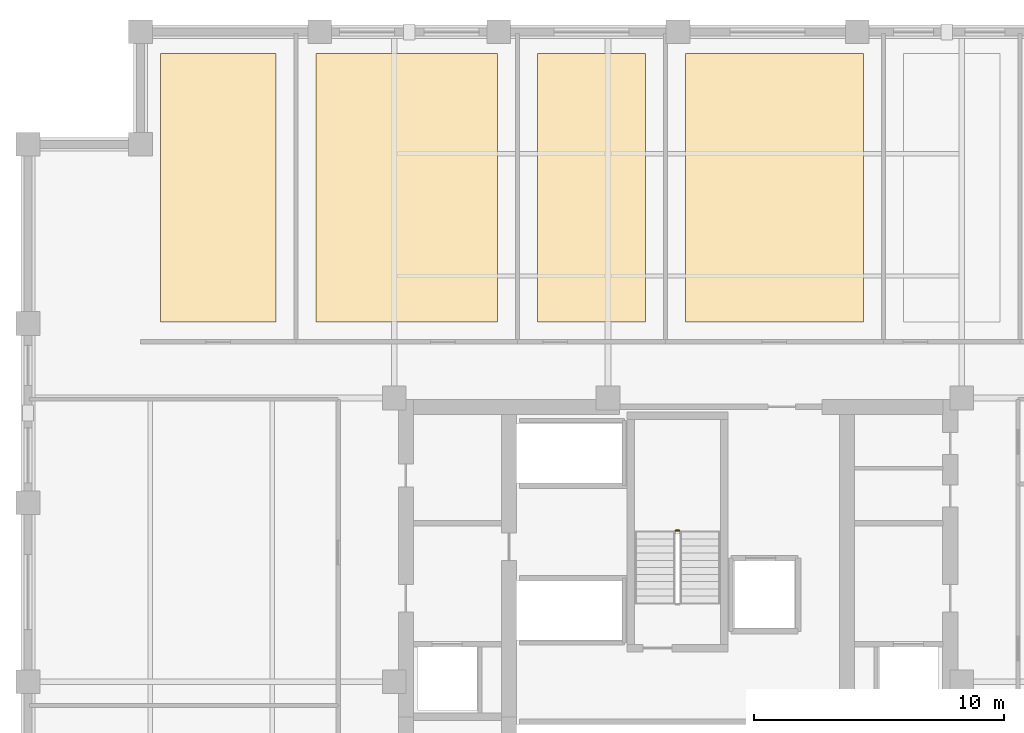
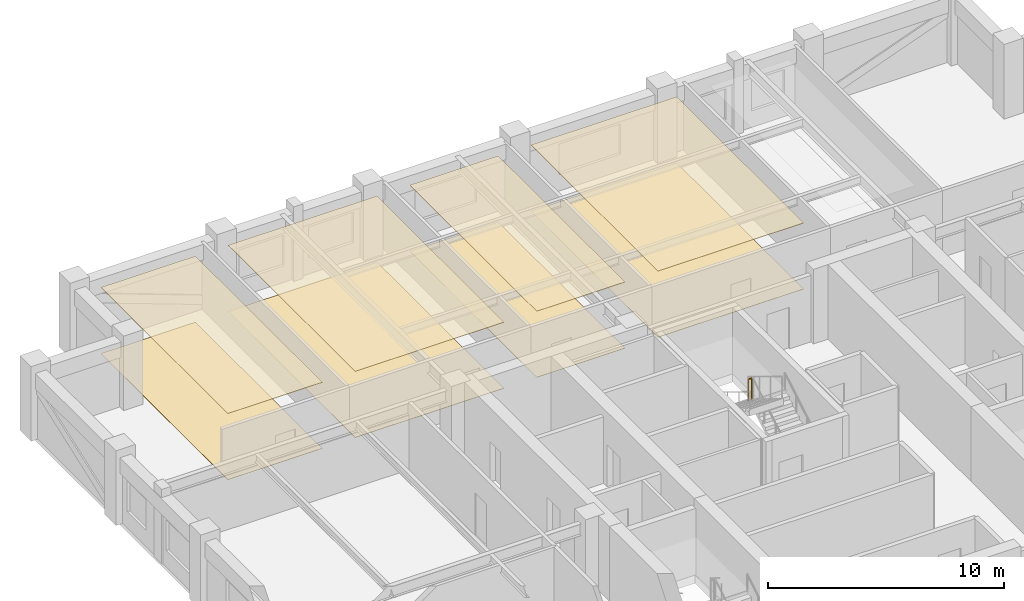
# One storey, part 11 of 12: 8 coverings, 1 railing.
"""IFC4 building model written with IfcOpenShell, lengths in metres."""

from ifc_helpers import new_model, si_unit, direction, frame, origin, origin_2d, place, context, subcontext, project, spatial, polyline, circle, outline, extrude, material, layer, layer_set, type_object, element, save


model = new_model("IFC4")

# Units and contexts
model_context = context("Model", 3, precision=1e-05, world=origin(), true_north=direction((0.0, 1.0)))
body_context = subcontext(model_context, "Body", "Model", "MODEL_VIEW")
ifc_project = project(units=[si_unit("LENGTHUNIT", "METRE"), si_unit("AREAUNIT", "SQUARE_METRE"), si_unit("VOLUMEUNIT", "CUBIC_METRE"), si_unit("PLANEANGLEUNIT", "RADIAN"), si_unit("MASSUNIT", "GRAM", prefix="KILO")], contexts=[model_context])

# Site, building, storey
site_placement = place(None, origin())
site = spatial("IfcSite", under=ifc_project, at=site_placement, CompositionType="ELEMENT")
building_placement = place(site_placement, origin())
building = spatial("IfcBuilding", under=site, at=building_placement, Name="Nhamokura Convention Tower", CompositionType="ELEMENT")
storey_placement = place(building_placement, frame((0.0, 0.0, 110.60009765625)))
storey = spatial("IfcBuildingStorey", under=building, at=storey_placement, Name="L26", CompositionType="ELEMENT", Elevation=110.60009765625)

# Coverings
ifc_material_1 = material(Name="Mineral-fibre acoustic ceiling tile", Category="gypsum")
ifc_layer_1 = layer(ifc_material_1, 0.02490234375)
ifc_layer_set_1 = layer_set([ifc_layer_1], Name="AcousticTileCeiling_25")
covering_type_1 = type_object("IfcCoveringType", Name="AcousticTileCeiling_25", PredefinedType="CEILING", material=ifc_layer_set_1)
covering_1_placement = place(storey_placement, frame((0.0, 0.0, 3.40478515625)))
element("IfcCovering", 1, at=covering_1_placement, inside=storey, type_object=covering_type_1, Name="L26 Suspended Ceiling 02", PredefinedType="CEILING", context=body_context, shape_type="SweptSolid", body=[
    extrude(outline(polyline([(11.300048828125, 46.39990234375), (15.916748046875, 46.39990234375), (15.916748046875, 57.139892578125), (11.300048828125, 57.139892578125), (11.300048828125, 46.39990234375)])), origin(), (0.0, 0.0, 1.0), 0.025146484375),
])
covering_2_placement = place(storey_placement, frame((0.0, 0.0, 3.40478515625)))
element("IfcCovering", 2, at=covering_2_placement, inside=storey, type_object=covering_type_1, Name="L26 Suspended Ceiling 03", PredefinedType="CEILING", context=body_context, shape_type="SweptSolid", body=[
    extrude(outline(polyline([(17.5166015625, 46.39990234375), (24.783203125, 46.39990234375), (24.783203125, 57.139892578125), (17.5166015625, 57.139892578125), (17.5166015625, 46.39990234375)])), origin(), (0.0, 0.0, 1.0), 0.025146484375),
])
covering_3_placement = place(storey_placement, frame((0.0, 0.0, 3.40478515625)))
element("IfcCovering", 3, at=covering_3_placement, inside=storey, type_object=covering_type_1, Name="L26 Suspended Ceiling 04", PredefinedType="CEILING", context=body_context, shape_type="SweptSolid", body=[
    extrude(outline(polyline([(26.38330078125, 46.39990234375), (30.699951171875, 46.39990234375), (30.699951171875, 57.139892578125), (26.38330078125, 57.139892578125), (26.38330078125, 46.39990234375)])), origin(), (0.0, 0.0, 1.0), 0.025146484375),
])
covering_4_placement = place(storey_placement, frame((0.0, 0.0, 3.40478515625)))
element("IfcCovering", 4, at=covering_4_placement, inside=storey, type_object=covering_type_1, Name="L26 Suspended Ceiling 05", PredefinedType="CEILING", context=body_context, shape_type="SweptSolid", body=[
    extrude(outline(polyline([(32.300048828125, 46.39990234375), (39.416748046875, 46.39990234375), (39.416748046875, 57.139892578125), (32.300048828125, 57.139892578125), (32.300048828125, 46.39990234375)])), origin(), (0.0, 0.0, 1.0), 0.025146484375),
])

# Railing
ifc_material_2 = material(Name="Painted tubular steel", Category="steel")
railing_type = type_object("IfcRailingType", Name="StairWellGuardrail_1150", PredefinedType="GUARDRAIL", material=ifc_material_2)
railing_placement = place(storey_placement, frame((32.050048828125, 38.050048828125, 1.9248046875)))
element("IfcRailing", 5, at=railing_placement, inside=storey, type_object=railing_type, Name="L26 ST-03 stair guard 2", PredefinedType="GUARDRAIL", context=body_context, shape_type="SweptSolid", body=[
    extrude(circle(Radius=0.02392578125, at=origin_2d()), frame((0.0, 0.0, 1.1259765625), z_axis=(-1.0, 0.0, 0.0), x_axis=(0.0, -1.0, 0.0)), (0.0, 0.0, 1.0), 0.150146484375),
    extrude(circle(Radius=0.02099609375, at=origin_2d()), origin(), (0.0, 0.0, 1.0), 1.101806640625),
    extrude(circle(Radius=0.02099609375, at=origin_2d()), frame((-0.150146484375, 0.0, 0.0)), (0.0, 0.0, 1.0), 1.101806640625),
])

# Coverings
ifc_material_3 = material(Name="Acoustic woven hospitality carpet", Category="wood")
ifc_layer_2 = layer(ifc_material_3, 0.014892578125)
ifc_layer_set_2 = layer_set([ifc_layer_2], Name="WovenCarpetFlooring_15")
covering_type_2 = type_object("IfcCoveringType", Name="WovenCarpetFlooring_15", PredefinedType="FLOORING", material=ifc_layer_set_2)
covering_5_placement = place(storey_placement, origin())
element("IfcCovering", 6, at=covering_5_placement, inside=storey, type_object=covering_type_2, Name="L26 Finish Flooring 02", PredefinedType="FLOORING", context=body_context, shape_type="SweptSolid", body=[
    extrude(outline(polyline([(11.300048828125, 46.39990234375), (15.916748046875, 46.39990234375), (15.916748046875, 57.139892578125), (11.300048828125, 57.139892578125), (11.300048828125, 46.39990234375)])), origin(), (0.0, 0.0, 1.0), 0.014892578125),
])
covering_6_placement = place(storey_placement, origin())
element("IfcCovering", 7, at=covering_6_placement, inside=storey, type_object=covering_type_2, Name="L26 Finish Flooring 03", PredefinedType="FLOORING", context=body_context, shape_type="SweptSolid", body=[
    extrude(outline(polyline([(17.5166015625, 46.39990234375), (24.783203125, 46.39990234375), (24.783203125, 57.139892578125), (17.5166015625, 57.139892578125), (17.5166015625, 46.39990234375)])), origin(), (0.0, 0.0, 1.0), 0.014892578125),
])
covering_7_placement = place(storey_placement, origin())
element("IfcCovering", 8, at=covering_7_placement, inside=storey, type_object=covering_type_2, Name="L26 Finish Flooring 04", PredefinedType="FLOORING", context=body_context, shape_type="SweptSolid", body=[
    extrude(outline(polyline([(26.38330078125, 46.39990234375), (30.699951171875, 46.39990234375), (30.699951171875, 57.139892578125), (26.38330078125, 57.139892578125), (26.38330078125, 46.39990234375)])), origin(), (0.0, 0.0, 1.0), 0.014892578125),
])
covering_8_placement = place(storey_placement, origin())
element("IfcCovering", 9, at=covering_8_placement, inside=storey, type_object=covering_type_2, Name="L26 Finish Flooring 05", PredefinedType="FLOORING", context=body_context, shape_type="SweptSolid", body=[
    extrude(outline(polyline([(32.300048828125, 46.39990234375), (39.416748046875, 46.39990234375), (39.416748046875, 57.139892578125), (32.300048828125, 57.139892578125), (32.300048828125, 46.39990234375)])), origin(), (0.0, 0.0, 1.0), 0.014892578125),
])

save(model, "model.ifc")
